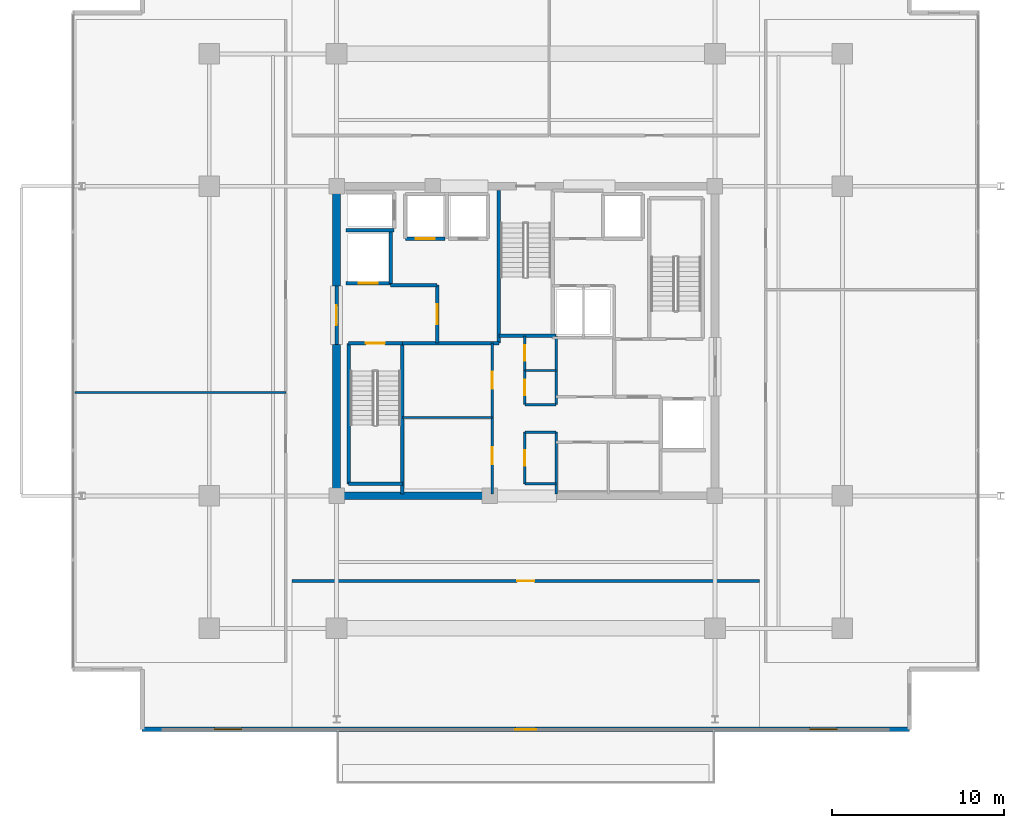
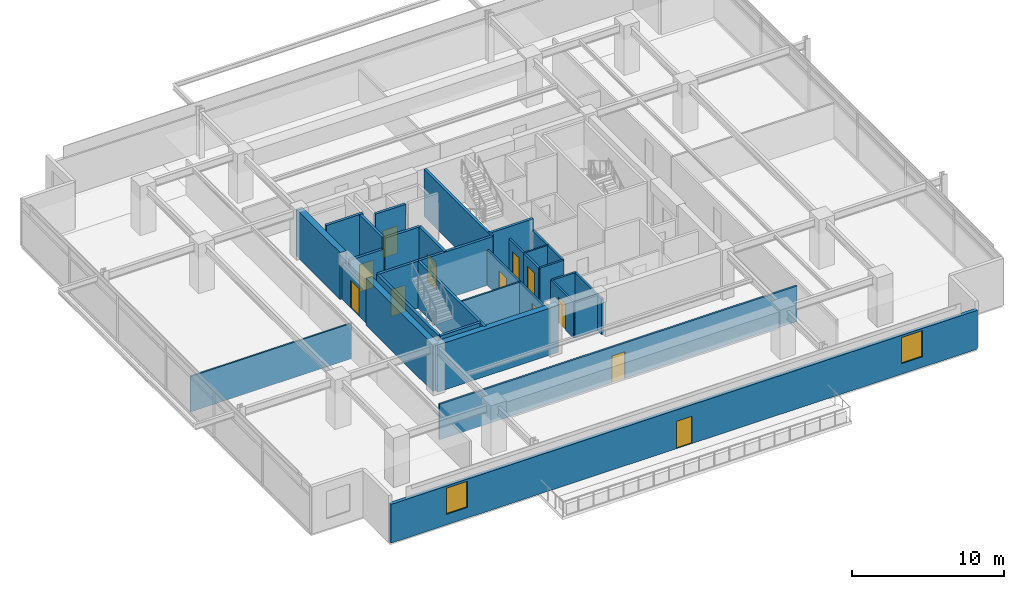
# One storey, part 15 of 23: 32 walls, 12 doors, 2 windows, 14 openings.
"""IFC4 building model written with IfcOpenShell, lengths in metres."""

from ifc_helpers import new_model, si_unit, direction, frame, frame_2d, origin, place, context, subcontext, project, spatial, rectangle, extrude, material, layer, layer_set, type_object, element, fill, save


model = new_model("IFC4")

# Units and contexts
model_context = context("Model", 3, precision=1e-05, world=origin(), true_north=direction((0.0, 1.0)))
body_context = subcontext(model_context, "Body", "Model", "MODEL_VIEW")
ifc_project = project(units=[si_unit("LENGTHUNIT", "METRE"), si_unit("AREAUNIT", "SQUARE_METRE"), si_unit("VOLUMEUNIT", "CUBIC_METRE"), si_unit("PLANEANGLEUNIT", "RADIAN"), si_unit("MASSUNIT", "GRAM", prefix="KILO")], contexts=[model_context])

# Site, building, storey
site_placement = place(None, origin())
site = spatial("IfcSite", under=ifc_project, at=site_placement, CompositionType="ELEMENT")
building_placement = place(site_placement, origin())
building = spatial("IfcBuilding", under=site, at=building_placement, Name="Kovane Verandah Tower", CompositionType="ELEMENT")
storey_placement = place(building_placement, frame((0.0, 0.0, 243.199951171875)))
storey = spatial("IfcBuildingStorey", under=building, at=storey_placement, Name="L56", CompositionType="ELEMENT", Elevation=243.199951171875)

# Walls
ifc_material_1 = material(Name="Fire-Rated Gypsum Stud Partition", Category="gypsum")
ifc_layer_1 = layer(ifc_material_1, 0.14990234375)
ifc_layer_set_1 = layer_set([ifc_layer_1], Name="Fire-Rated Gypsum Stud Partition")
wall_type_1 = type_object("IfcWallType", Name="WL-COR-150", PredefinedType="PARTITIONING", material=ifc_layer_set_1)
for number, where, z_axis, x_axis, name in (
    (1, (39.949951171875, 19.199951171875, 0.0), (0.0, 0.0, 1.0), (1.0, 0.0, 0.0), "L56 Central Core Strip South Wall"),
    (2, (39.949951171875, 22.199951171875, 0.0), (0.0, 0.0, 1.0), (1.0, 0.0, 0.0), "L56 Core Cross-Passage South Wall"),
    (3, (39.949951171875, 23.800048828125, 0.0), (0.0, 0.0, 1.0), (1.0, 0.0, 0.0), "L56 Core Cross-Passage North Wall"),
):
    element("IfcWall", number, at=place(storey_placement, frame(where, z_axis=z_axis, x_axis=x_axis)), inside=storey, type_object=wall_type_1, Name=name, PredefinedType="PARTITIONING", context=body_context, shape_type="SweptSolid", body=[
        extrude(rectangle(XDim=1.81005859375, YDim=0.14990234375, at=frame_2d((0.905029296875, 0.0))), origin(), (0.0, 0.0, 1.0), 2.85009765625),
    ])
wall_1_placement = place(storey_placement, frame((41.760009765625, 18.60009765625, 0.0), z_axis=(0.0, 0.0, 1.0), x_axis=(0.0, 1.0, 0.0)))
element("IfcWall", 4, at=wall_1_placement, inside=storey, type_object=wall_type_1, Name="L56 Central Core Strip Lower East Wall", PredefinedType="PARTITIONING", context=body_context, shape_type="SweptSolid", body=[
    extrude(rectangle(XDim=3.599853515625, YDim=0.14990234375, at=frame_2d((1.7998046875, 0.0))), origin(), (0.0, 0.0, 1.0), 2.85009765625),
])
wall_2_placement = place(storey_placement, frame((41.760009765625, 23.800048828125, 0.0), z_axis=(0.0, 0.0, 1.0), x_axis=(0.0, 1.0, 0.0)))
element("IfcWall", 5, at=wall_2_placement, inside=storey, type_object=wall_type_1, Name="L56 Central Core Strip Upper East Wall", PredefinedType="PARTITIONING", context=body_context, shape_type="SweptSolid", body=[
    extrude(rectangle(XDim=4.0, YDim=0.14990234375, at=frame_2d((2.0, 0.0))), origin(), (0.0, 0.0, 1.0), 2.85009765625),
])

# Wall, opening, door
wall_3_placement = place(storey_placement, frame((39.949951171875, 19.199951171875, 0.0), z_axis=(0.0, 0.0, 1.0), x_axis=(0.0, 1.0, 0.0)))
wall_3 = element("IfcWall", 6, at=wall_3_placement, inside=storey, type_object=wall_type_1, Name="L56 Male Toilet Partition", PredefinedType="PARTITIONING", context=body_context, shape_type="SweptSolid", body=[
    extrude(rectangle(XDim=3.0, YDim=0.14990234375, at=frame_2d((1.5, 0.0))), origin(), (0.0, 0.0, 1.0), 2.85009765625),
])
opening_1_placement = place(wall_3_placement, frame((1.050048828125, 0.0, 0.0)))
opening_1 = element("IfcOpeningElement", 7, at=opening_1_placement, cuts=wall_3, Name="Opening DR-L56-026", PredefinedType="OPENING", context=body_context, shape_type="SweptSolid", body=[
    extrude(rectangle(XDim=0.89990234375, YDim=2.10009765625, at=frame_2d((0.449951171875, 1.050048828125))), frame((0.0, 0.074951171875, 0.0), z_axis=(0.0, -1.0, 0.0), x_axis=(1.0, 0.0, 0.0)), (0.0, 0.0, 1.0), 0.14990234375),
])
ifc_material_2 = material(Name="Moisture-Resistant Laminate Washroom Door", Category="wood")
door_type_1 = type_object("IfcDoorType", Name="DR-WC-900", OperationType="SINGLE_SWING_LEFT", PredefinedType="DOOR", material=ifc_material_2)
door_1_placement = place(opening_1_placement, origin())
door_1 = element("IfcDoor", 8, at=door_1_placement, inside=storey, type_object=door_type_1, Name="L56 Male Toilet Door", OperationType="SINGLE_SWING_LEFT", OverallHeight=2.10009765625, OverallWidth=0.89990234375, PredefinedType="DOOR", context=body_context, shape_type="SweptSolid", body=[
    extrude(rectangle(XDim=0.89990234375, YDim=2.10009765625, at=frame_2d((0.449951171875, 1.050048828125))), frame((0.0, 0.02490234375, 0.0), z_axis=(0.0, -1.0, 0.0), x_axis=(1.0, 0.0, 0.0)), (0.0, 0.0, 1.0), 0.050048828125),
])
fill(opening_1, door_1)

wall_4_placement = place(storey_placement, frame((39.949951171875, 23.800048828125, 0.0), z_axis=(0.0, 0.0, 1.0), x_axis=(0.0, 1.0, 0.0)))
wall_4 = element("IfcWall", 9, at=wall_4_placement, inside=storey, type_object=wall_type_1, Name="L56 Female Toilet Partition", PredefinedType="PARTITIONING", context=body_context, shape_type="SweptSolid", body=[
    extrude(rectangle(XDim=2.0, YDim=0.14990234375, at=frame_2d((1.0, 0.0))), origin(), (0.0, 0.0, 1.0), 2.85009765625),
])
opening_2_placement = place(wall_4_placement, frame((0.550048828125, 0.0, 0.0)))
opening_2 = element("IfcOpeningElement", 10, at=opening_2_placement, cuts=wall_4, Name="Opening DR-L56-025", PredefinedType="OPENING", context=body_context, shape_type="SweptSolid", body=[
    extrude(rectangle(XDim=0.89990234375, YDim=2.10009765625, at=frame_2d((0.449951171875, 1.050048828125))), frame((0.0, 0.074951171875, 0.0), z_axis=(0.0, -1.0, 0.0), x_axis=(1.0, 0.0, 0.0)), (0.0, 0.0, 1.0), 0.14990234375),
])
door_2_placement = place(opening_2_placement, origin())
door_2 = element("IfcDoor", 11, at=door_2_placement, inside=storey, type_object=door_type_1, Name="L56 Female Toilet Door", OperationType="SINGLE_SWING_RIGHT", OverallHeight=2.10009765625, OverallWidth=0.89990234375, PredefinedType="DOOR", context=body_context, shape_type="SweptSolid", body=[
    extrude(rectangle(XDim=0.89990234375, YDim=2.10009765625, at=frame_2d((0.449951171875, 1.050048828125))), frame((0.0, 0.02490234375, 0.0), z_axis=(0.0, -1.0, 0.0), x_axis=(1.0, 0.0, 0.0)), (0.0, 0.0, 1.0), 0.050048828125),
])
fill(opening_2, door_2)

wall_5_placement = place(storey_placement, frame((39.949951171875, 25.800048828125, 0.0), z_axis=(0.0, 0.0, 1.0), x_axis=(0.0, 1.0, 0.0)))
wall_5 = element("IfcWall", 12, at=wall_5_placement, inside=storey, type_object=wall_type_1, Name="L56 Accessible Unisex Toilet Partition", PredefinedType="PARTITIONING", context=body_context, shape_type="SweptSolid", body=[
    extrude(rectangle(XDim=2.0, YDim=0.14990234375, at=frame_2d((1.0, 0.0))), origin(), (0.0, 0.0, 1.0), 2.85009765625),
])
opening_3_placement = place(wall_5_placement, frame((0.550048828125, 0.0, 0.0)))
opening_3 = element("IfcOpeningElement", 13, at=opening_3_placement, cuts=wall_5, Name="Opening DR-L56-024", PredefinedType="OPENING", context=body_context, shape_type="SweptSolid", body=[
    extrude(rectangle(XDim=0.89990234375, YDim=2.10009765625, at=frame_2d((0.449951171875, 1.050048828125))), frame((0.0, 0.074951171875, 0.0), z_axis=(0.0, -1.0, 0.0), x_axis=(1.0, 0.0, 0.0)), (0.0, 0.0, 1.0), 0.14990234375),
])
door_3_placement = place(opening_3_placement, origin())
door_3 = element("IfcDoor", 14, at=door_3_placement, inside=storey, type_object=door_type_1, Name="L56 Accessible Unisex Toilet Door", OperationType="SINGLE_SWING_LEFT", OverallHeight=2.10009765625, OverallWidth=0.89990234375, PredefinedType="DOOR", context=body_context, shape_type="SweptSolid", body=[
    extrude(rectangle(XDim=0.89990234375, YDim=2.10009765625, at=frame_2d((0.449951171875, 1.050048828125))), frame((0.0, 0.02490234375, 0.0), z_axis=(0.0, -1.0, 0.0), x_axis=(1.0, 0.0, 0.0)), (0.0, 0.0, 1.0), 0.050048828125),
])
fill(opening_3, door_3)

wall_6_placement = place(storey_placement, frame((38.050048828125, 18.60009765625, 0.0), z_axis=(0.0, 0.0, 1.0), x_axis=(0.0, 1.0, 0.0)))
wall_6 = element("IfcWall", 15, at=wall_6_placement, inside=storey, type_object=wall_type_1, Name="L56 IT Server Room Partition", PredefinedType="PARTITIONING", context=body_context, shape_type="SweptSolid", body=[
    extrude(rectangle(XDim=4.4599609375, YDim=0.14990234375, at=frame_2d((2.22998046875, 0.0))), origin(), (0.0, 0.0, 1.0), 2.85009765625),
])
opening_4_placement = place(wall_6_placement, frame((1.72998046875, 0.0, 0.0)))
opening_4 = element("IfcOpeningElement", 16, at=opening_4_placement, cuts=wall_6, Name="Opening DR-L56-013", PredefinedType="OPENING", context=body_context, shape_type="SweptSolid", body=[
    extrude(rectangle(XDim=1.0, YDim=2.14990234375, at=frame_2d((0.5, 1.074951171875))), frame((0.0, 0.074951171875, 0.0), z_axis=(0.0, -1.0, 0.0), x_axis=(1.0, 0.0, 0.0)), (0.0, 0.0, 1.0), 0.14990234375),
])
ifc_material_3 = material(Name="FSC Spotted-Gum Timber Fire-Rated Office Door", Category="wood")
door_type_2 = type_object("IfcDoorType", Name="DR-OFF-1000", OperationType="SINGLE_SWING_LEFT", PredefinedType="DOOR", material=ifc_material_3)
door_4_placement = place(opening_4_placement, origin())
door_4 = element("IfcDoor", 17, at=door_4_placement, inside=storey, type_object=door_type_2, Name="L56 IT Server Room Door", OperationType="SINGLE_SWING_RIGHT", OverallHeight=2.14990234375, OverallWidth=1.0, PredefinedType="DOOR", context=body_context, shape_type="SweptSolid", body=[
    extrude(rectangle(XDim=1.0, YDim=2.14990234375, at=frame_2d((0.5, 1.074951171875))), frame((0.0, 0.02490234375, 0.0), z_axis=(0.0, -1.0, 0.0), x_axis=(1.0, 0.0, 0.0)), (0.0, 0.0, 1.0), 0.050048828125),
])
fill(opening_4, door_4)

wall_7_placement = place(storey_placement, frame((38.050048828125, 23.06005859375, 0.0), z_axis=(0.0, 0.0, 1.0), x_axis=(0.0, 1.0, 0.0)))
wall_7 = element("IfcWall", 18, at=wall_7_placement, inside=storey, type_object=wall_type_1, Name="L56 Telecom MDF Room Partition", PredefinedType="PARTITIONING", context=body_context, shape_type="SweptSolid", body=[
    extrude(rectangle(XDim=4.31982421875, YDim=0.14990234375, at=frame_2d((2.159912109375, 0.0))), origin(), (0.0, 0.0, 1.0), 2.85009765625),
])
opening_5_placement = place(wall_7_placement, frame((1.659912109375, 0.0, 0.0)))
opening_5 = element("IfcOpeningElement", 19, at=opening_5_placement, cuts=wall_7, Name="Opening DR-L56-014", PredefinedType="OPENING", context=body_context, shape_type="SweptSolid", body=[
    extrude(rectangle(XDim=1.0, YDim=2.14990234375, at=frame_2d((0.5, 1.074951171875))), frame((0.0, 0.074951171875, 0.0), z_axis=(0.0, -1.0, 0.0), x_axis=(1.0, 0.0, 0.0)), (0.0, 0.0, 1.0), 0.14990234375),
])
door_5_placement = place(opening_5_placement, origin())
door_5 = element("IfcDoor", 20, at=door_5_placement, inside=storey, type_object=door_type_2, Name="L56 Telecom MDF Room Door", OperationType="SINGLE_SWING_LEFT", OverallHeight=2.14990234375, OverallWidth=1.0, PredefinedType="DOOR", context=body_context, shape_type="SweptSolid", body=[
    extrude(rectangle(XDim=1.0, YDim=2.14990234375, at=frame_2d((0.5, 1.074951171875))), frame((0.0, 0.02490234375, 0.0), z_axis=(0.0, -1.0, 0.0), x_axis=(1.0, 0.0, 0.0)), (0.0, 0.0, 1.0), 0.050048828125),
])
fill(opening_5, door_5)

wall_8_placement = place(storey_placement, frame((26.39990234375, 13.550048828125, 0.0), z_axis=(0.0, 0.0, 1.0), x_axis=(1.0, 0.0, 0.0)))
wall_8 = element("IfcWall", 21, at=wall_8_placement, inside=storey, type_object=wall_type_1, Name="L56 Breakout Pantry S1 Corridor Partition", PredefinedType="PARTITIONING", context=body_context, shape_type="SweptSolid", body=[
    extrude(rectangle(XDim=27.2001953125, YDim=0.14990234375, at=frame_2d((13.60009765625, 0.0))), origin(), (0.0, 0.0, 1.0), 2.85009765625),
])
opening_6_placement = place(wall_8_placement, frame((13.10009765625, 0.0, 0.0)))
opening_6 = element("IfcOpeningElement", 22, at=opening_6_placement, cuts=wall_8, Name="Opening DR-L56-023", PredefinedType="OPENING", context=body_context, shape_type="SweptSolid", body=[
    extrude(rectangle(XDim=1.0, YDim=2.14990234375, at=frame_2d((0.5, 1.074951171875))), frame((0.0, 0.074951171875, 0.0), z_axis=(0.0, -1.0, 0.0), x_axis=(1.0, 0.0, 0.0)), (0.0, 0.0, 1.0), 0.14990234375),
])
door_6_placement = place(opening_6_placement, origin())
door_6 = element("IfcDoor", 23, at=door_6_placement, inside=storey, type_object=door_type_2, Name="L56 Breakout Pantry S1 Entrance Door", OperationType="SINGLE_SWING_RIGHT", OverallHeight=2.14990234375, OverallWidth=1.0, PredefinedType="DOOR", context=body_context, shape_type="SweptSolid", body=[
    extrude(rectangle(XDim=1.0, YDim=2.14990234375, at=frame_2d((0.5, 1.074951171875))), frame((0.0, 0.02490234375, 0.0), z_axis=(0.0, -1.0, 0.0), x_axis=(1.0, 0.0, 0.0)), (0.0, 0.0, 1.0), 0.050048828125),
])
fill(opening_6, door_6)

# Walls
ifc_material_4 = material(Name="Concrete C60/75", Category="concrete")
ifc_layer_2 = layer(ifc_material_4, 0.449951171875)
ifc_layer_set_2 = layer_set([ifc_layer_2], Name="Concrete C60/75")
wall_type_2 = type_object("IfcWallType", Name="WL-CORE-450", PredefinedType="SHEAR", material=ifc_layer_set_2)
wall_9_placement = place(storey_placement, frame((29.0, 18.5, 0.0), z_axis=(0.0, 0.0, 1.0), x_axis=(1.0, 0.0, 0.0)))
element("IfcWall", 24, at=wall_9_placement, inside=storey, type_object=wall_type_2, Name="L56 Core Shear Wall CS-1", PredefinedType="SHEAR", context=body_context, shape_type="SweptSolid", body=[
    extrude(rectangle(XDim=9.199951171875, YDim=0.449951171875, at=frame_2d((4.60009765625, 0.0))), origin(), (0.0, 0.0, 1.0), 3.78515625),
])
wall_10_placement = place(storey_placement, frame((29.0, 18.5, 0.0), z_axis=(0.0, 0.0, 1.0), x_axis=(0.0, 1.0, 0.0)))
element("IfcWall", 25, at=wall_10_placement, inside=storey, type_object=wall_type_2, Name="L56 Core Shear Wall CW-1", PredefinedType="SHEAR", context=body_context, shape_type="SweptSolid", body=[
    extrude(rectangle(XDim=8.800048828125, YDim=0.449951171875, at=frame_2d((4.39990234375, 0.0))), origin(), (0.0, 0.0, 1.0), 3.78515625),
])
wall_11_placement = place(storey_placement, frame((29.0, 30.699951171875, 0.0), z_axis=(0.0, 0.0, 1.0), x_axis=(0.0, 1.0, 0.0)))
element("IfcWall", 26, at=wall_11_placement, inside=storey, type_object=wall_type_2, Name="L56 Core Shear Wall CW-2", PredefinedType="SHEAR", context=body_context, shape_type="SweptSolid", body=[
    extrude(rectangle(XDim=5.800048828125, YDim=0.449951171875, at=frame_2d((2.89990234375, 0.0))), origin(), (0.0, 0.0, 1.0), 3.78515625),
])

# Wall, opening, door
ifc_material_5 = material(Name="Concrete C45/55 Fire Wall", Category="concrete")
ifc_layer_3 = layer(ifc_material_5, 0.199951171875)
ifc_layer_set_3 = layer_set([ifc_layer_3], Name="Concrete C45/55 Fire Wall")
wall_type_3 = type_object("IfcWallType", Name="WL-FFL-200", PredefinedType="PARTITIONING", material=ifc_layer_set_3)
wall_12_placement = place(storey_placement, frame((34.85009765625, 27.3798828125, 0.0), z_axis=(0.0, 0.0, 1.0), x_axis=(0.0, 1.0, 0.0)))
wall_12 = element("IfcWall", 27, at=wall_12_placement, inside=storey, type_object=wall_type_3, Name="W-L56-FFLW-E", PredefinedType="PARTITIONING", context=body_context, shape_type="SweptSolid", body=[
    extrude(rectangle(XDim=3.3701171875, YDim=0.199951171875, at=frame_2d((1.68505859375, 0.0))), origin(), (0.0, 0.0, 1.0), 3.78515625),
])
opening_7_placement = place(wall_12_placement, frame((1.110107421875, 0.0, 0.0)))
opening_7 = element("IfcOpeningElement", 28, at=opening_7_placement, cuts=wall_12, Name="Opening DR-L56-006", PredefinedType="OPENING", context=body_context, shape_type="SweptSolid", body=[
    extrude(rectangle(XDim=1.14990234375, YDim=2.199951171875, at=frame_2d((0.574951171875, 1.10009765625))), frame((0.0, 0.10009765625, 0.0), z_axis=(0.0, -1.0, 0.0), x_axis=(1.0, 0.0, 0.0)), (0.0, 0.0, 1.0), 0.199951171875),
])
ifc_material_6 = material(Name="Smoke-Sealed Firefighting Lobby Door", Category="steel")
door_type_3 = type_object("IfcDoorType", Name="DR-FFL-1150", OperationType="SINGLE_SWING_LEFT", PredefinedType="DOOR", material=ifc_material_6)
door_7_placement = place(opening_7_placement, origin())
door_7 = element("IfcDoor", 29, at=door_7_placement, inside=storey, type_object=door_type_3, Name="L56 West Firefighting Lobby Inner Door", OperationType="SINGLE_SWING_LEFT", OverallHeight=2.199951171875, OverallWidth=1.14990234375, PredefinedType="DOOR", context=body_context, shape_type="SweptSolid", body=[
    extrude(rectangle(XDim=1.14990234375, YDim=2.199951171875, at=frame_2d((0.574951171875, 1.10009765625))), frame((0.0, 0.02490234375, 0.0), z_axis=(0.0, -1.0, 0.0), x_axis=(1.0, 0.0, 0.0)), (0.0, 0.0, 1.0), 0.050048828125),
])
fill(opening_7, door_7)

wall_13_placement = place(storey_placement, frame((29.0, 27.300048828125, 0.0), z_axis=(0.0, 0.0, 1.0), x_axis=(0.0, 1.0, 0.0)))
wall_13 = element("IfcWall", 30, at=wall_13_placement, inside=storey, type_object=wall_type_3, Name="W-L56-FFLW-OUT", PredefinedType="PARTITIONING", context=body_context, shape_type="SweptSolid", body=[
    extrude(rectangle(XDim=3.39990234375, YDim=0.199951171875, at=frame_2d((1.699951171875, 0.0))), origin(), (0.0, 0.0, 1.0), 2.864990234375),
])
opening_8_placement = place(wall_13_placement, frame((1.125, 0.0, 0.0)))
opening_8 = element("IfcOpeningElement", 31, at=opening_8_placement, cuts=wall_13, Name="Opening DR-L56-007", PredefinedType="OPENING", context=body_context, shape_type="SweptSolid", body=[
    extrude(rectangle(XDim=1.14990234375, YDim=2.199951171875, at=frame_2d((0.574951171875, 1.10009765625))), frame((0.0, 0.10009765625, 0.0), z_axis=(0.0, -1.0, 0.0), x_axis=(1.0, 0.0, 0.0)), (0.0, 0.0, 1.0), 0.199951171875),
])
door_8_placement = place(opening_8_placement, origin())
door_8 = element("IfcDoor", 32, at=door_8_placement, inside=storey, type_object=door_type_3, Name="L56 West Firefighting Lobby Corridor Door", OperationType="SINGLE_SWING_RIGHT", OverallHeight=2.199951171875, OverallWidth=1.14990234375, PredefinedType="DOOR", context=body_context, shape_type="SweptSolid", body=[
    extrude(rectangle(XDim=1.14990234375, YDim=2.199951171875, at=frame_2d((0.574951171875, 1.10009765625))), frame((0.0, 0.02490234375, 0.0), z_axis=(0.0, -1.0, 0.0), x_axis=(1.0, 0.0, 0.0)), (0.0, 0.0, 1.0), 0.050048828125),
])
fill(opening_8, door_8)

# Walls
wall_14_placement = place(storey_placement, frame((32.820068359375, 27.3798828125, 0.0), z_axis=(0.0, 0.0, 1.0), x_axis=(1.0, 0.0, 0.0)))
element("IfcWall", 33, at=wall_14_placement, inside=storey, type_object=wall_type_3, Name="L56 West Firefighting Lobby South Fire Wall", PredefinedType="PARTITIONING", context=body_context, shape_type="SweptSolid", body=[
    extrude(rectangle(XDim=5.619873046875, YDim=0.199951171875, at=frame_2d((2.81005859375, 0.0))), origin(), (0.0, 0.0, 1.0), 3.78515625),
])
wall_15_placement = place(storey_placement, frame((32.14990234375, 30.75, 0.0), z_axis=(0.0, 0.0, 1.0), x_axis=(1.0, 0.0, 0.0)))
element("IfcWall", 34, at=wall_15_placement, inside=storey, type_object=wall_type_3, Name="L56 West Firefighting Lobby North Fire Wall", PredefinedType="PARTITIONING", context=body_context, shape_type="SweptSolid", body=[
    extrude(rectangle(XDim=2.7001953125, YDim=0.199951171875, at=frame_2d((1.35009765625, 0.0))), origin(), (0.0, 0.0, 1.0), 3.78515625),
])

# Wall, opening, door
ifc_material_7 = material(Name="Concrete C45/55 Lift Shaft Wall", Category="concrete")
ifc_layer_4 = layer(ifc_material_7, 0.199951171875)
ifc_layer_set_4 = layer_set([ifc_layer_4], Name="Concrete C45/55 Lift Shaft Wall")
wall_type_4 = type_object("IfcWallType", Name="WL-LIFT-200", PredefinedType="SOLIDWALL", material=ifc_layer_set_4)
wall_16_placement = place(storey_placement, frame((29.550048828125, 30.85009765625, 0.0), z_axis=(0.0, 0.0, 1.0), x_axis=(1.0, 0.0, 0.0)))
wall_16 = element("IfcWall", 35, at=wall_16_placement, inside=storey, type_object=wall_type_4, Name="L56 Lift FL-01 S Shaft Wall", PredefinedType="SOLIDWALL", context=body_context, shape_type="SweptSolid", body=[
    extrude(rectangle(XDim=2.599853515625, YDim=0.199951171875, at=frame_2d((1.2998046875, 0.0))), origin(), (0.0, 0.0, 1.0), 2.864990234375),
])
opening_9_placement = place(wall_16_placement, frame((0.75, 0.0, 0.0)))
opening_9 = element("IfcOpeningElement", 36, at=opening_9_placement, cuts=wall_16, Name="Opening LD-L56-001", PredefinedType="OPENING", context=body_context, shape_type="SweptSolid", body=[
    extrude(rectangle(XDim=1.10009765625, YDim=2.199951171875, at=frame_2d((0.550048828125, 1.10009765625))), frame((0.0, 0.10009765625, 0.0), z_axis=(0.0, -1.0, 0.0), x_axis=(1.0, 0.0, 0.0)), (0.0, 0.0, 1.0), 0.199951171875),
])
ifc_material_8 = material(Name="Brushed Stainless Steel Sliding Lift Landing Door", Category="steel")
door_type_4 = type_object("IfcDoorType", Name="DR-LIFT-1100", OperationType="SLIDING_TO_RIGHT", PredefinedType="DOOR", material=ifc_material_8)
door_9_placement = place(opening_9_placement, origin())
door_9 = element("IfcDoor", 37, at=door_9_placement, inside=storey, type_object=door_type_4, Name="L56 Lift FL-01 Sliding Landing Door", OperationType="SLIDING_TO_RIGHT", OverallHeight=2.199951171875, OverallWidth=1.10009765625, PredefinedType="DOOR", context=body_context, shape_type="SweptSolid", body=[
    extrude(rectangle(XDim=1.10009765625, YDim=2.199951171875, at=frame_2d((0.550048828125, 1.10009765625))), frame((0.0, 0.02490234375, 0.0), z_axis=(0.0, -1.0, 0.0), x_axis=(1.0, 0.0, 0.0)), (0.0, 0.0, 1.0), 0.050048828125),
])
fill(opening_9, door_9)

# Walls
wall_17_placement = place(storey_placement, frame((29.550048828125, 33.949951171875, 0.0), z_axis=(0.0, 0.0, 1.0), x_axis=(1.0, 0.0, 0.0)))
element("IfcWall", 38, at=wall_17_placement, inside=storey, type_object=wall_type_4, Name="L56 Lift FL-01 and GL-01 Shared Shaft Wall", PredefinedType="SOLIDWALL", context=body_context, shape_type="SweptSolid", body=[
    extrude(rectangle(XDim=2.800048828125, YDim=0.199951171875, at=frame_2d((1.39990234375, 0.0))), origin(), (0.0, 0.0, 1.0), 3.78515625),
])
wall_18_placement = place(storey_placement, frame((32.14990234375, 30.85009765625, 0.0), z_axis=(0.0, 0.0, 1.0), x_axis=(0.0, 1.0, 0.0)))
element("IfcWall", 39, at=wall_18_placement, inside=storey, type_object=wall_type_4, Name="L56 Lift FL-01 E Shaft Wall", PredefinedType="SOLIDWALL", context=body_context, shape_type="SweptSolid", body=[
    extrude(rectangle(XDim=3.0, YDim=0.199951171875, at=frame_2d((1.5, 0.0))), origin(), (0.0, 0.0, 1.0), 3.78515625),
])

# Wall, opening, door
wall_19_placement = place(storey_placement, frame((33.0, 33.449951171875, 0.0), z_axis=(0.0, 0.0, 1.0), x_axis=(1.0, 0.0, 0.0)))
wall_19 = element("IfcWall", 40, at=wall_19_placement, inside=storey, type_object=wall_type_4, Name="L56 Lift PL-H1 S Shaft Wall", PredefinedType="SOLIDWALL", context=body_context, shape_type="SweptSolid", body=[
    extrude(rectangle(XDim=2.300048828125, YDim=0.199951171875, at=frame_2d((1.14990234375, 0.0))), origin(), (0.0, 0.0, 1.0), 3.78515625),
])
opening_10_placement = place(wall_19_placement, frame((0.60009765625, 0.0, 0.0)))
opening_10 = element("IfcOpeningElement", 41, at=opening_10_placement, cuts=wall_19, Name="Opening LD-L56-004", PredefinedType="OPENING", context=body_context, shape_type="SweptSolid", body=[
    extrude(rectangle(XDim=1.10009765625, YDim=2.199951171875, at=frame_2d((0.550048828125, 1.10009765625))), frame((0.0, 0.10009765625, 0.0), z_axis=(0.0, -1.0, 0.0), x_axis=(1.0, 0.0, 0.0)), (0.0, 0.0, 1.0), 0.199951171875),
])
door_10_placement = place(opening_10_placement, origin())
door_10 = element("IfcDoor", 42, at=door_10_placement, inside=storey, type_object=door_type_4, Name="L56 Lift PL-H1 Sliding Landing Door", OperationType="SLIDING_TO_RIGHT", OverallHeight=2.199951171875, OverallWidth=1.10009765625, PredefinedType="DOOR", context=body_context, shape_type="SweptSolid", body=[
    extrude(rectangle(XDim=1.10009765625, YDim=2.199951171875, at=frame_2d((0.550048828125, 1.10009765625))), frame((0.0, 0.02490234375, 0.0), z_axis=(0.0, -1.0, 0.0), x_axis=(1.0, 0.0, 0.0)), (0.0, 0.0, 1.0), 0.050048828125),
])
fill(opening_10, door_10)

# Walls
ifc_material_9 = material(Name="Acoustic Fire-Rated Gypsum Partition", Category="gypsum")
ifc_layer_5 = layer(ifc_material_9, 0.1201171875)
ifc_layer_set_5 = layer_set([ifc_layer_5], Name="Acoustic Fire-Rated Gypsum Partition")
wall_type_5 = type_object("IfcWallType", Name="WL-PART-120", PredefinedType="PARTITIONING", material=ifc_layer_set_5)
wall_20_placement = place(storey_placement, frame((39.949951171875, 25.800048828125, 0.0), z_axis=(0.0, 0.0, 1.0), x_axis=(1.0, 0.0, 0.0)))
element("IfcWall", 43, at=wall_20_placement, inside=storey, type_object=wall_type_5, Name="L56 Central Core Strip Upper Dividing Partition", PredefinedType="PARTITIONING", context=body_context, shape_type="SweptSolid", body=[
    extrude(rectangle(XDim=1.81005859375, YDim=0.1201171875, at=frame_2d((0.905029296875, 0.0))), origin(), (0.0, 0.0, 1.0), 2.85009765625),
])
wall_21_placement = place(storey_placement, frame((32.820068359375, 23.06005859375, 0.0), z_axis=(0.0, 0.0, 1.0), x_axis=(1.0, 0.0, 0.0)))
element("IfcWall", 44, at=wall_21_placement, inside=storey, type_object=wall_type_5, Name="L56 Core Support Dividing Partition", PredefinedType="PARTITIONING", context=body_context, shape_type="SweptSolid", body=[
    extrude(rectangle(XDim=5.22998046875, YDim=0.1201171875, at=frame_2d((2.614990234375, 0.0))), origin(), (0.0, 0.0, 1.0), 2.85009765625),
])
wall_22_placement = place(storey_placement, frame((13.79248046875, 24.51123046875, 0.0), z_axis=(0.0, 0.0, 1.0), x_axis=(1.0, 0.0, 0.0)))
element("IfcWall", 45, at=wall_22_placement, inside=storey, type_object=wall_type_5, Name="L56 Collaboration Hub W1 Dividing Partition", PredefinedType="PARTITIONING", context=body_context, shape_type="SweptSolid", body=[
    extrude(rectangle(XDim=12.257568359375, YDim=0.1201171875, at=frame_2d((6.12890625, 0.0))), origin(), (0.0, 0.0, 1.0), 2.85009765625),
])
ifc_material_10 = material(Name="Concrete C45/55", Category="concrete")
ifc_layer_6 = layer(ifc_material_10, 0.199951171875)
ifc_layer_set_6 = layer_set([ifc_layer_6], Name="Concrete C45/55")
wall_type_6 = type_object("IfcWallType", Name="WL-SHAFT-200", PredefinedType="SOLIDWALL", material=ifc_layer_set_6)
wall_23_placement = place(storey_placement, frame((29.699951171875, 19.199951171875, 0.0), z_axis=(0.0, 0.0, 1.0), x_axis=(0.0, 1.0, 0.0)))
element("IfcWall", 46, at=wall_23_placement, inside=storey, type_object=wall_type_6, Name="W-L56-ST01-W", PredefinedType="SOLIDWALL", context=body_context, shape_type="SweptSolid", body=[
    extrude(rectangle(XDim=8.150146484375, YDim=0.199951171875, at=frame_2d((4.0751953125, 0.0))), origin(), (0.0, 0.0, 1.0), 3.78515625),
])
wall_24_placement = place(storey_placement, frame((29.699951171875, 19.199951171875, 0.0), z_axis=(0.0, 0.0, 1.0), x_axis=(1.0, 0.0, 0.0)))
element("IfcWall", 47, at=wall_24_placement, inside=storey, type_object=wall_type_6, Name="W-L56-ST01-S", PredefinedType="SOLIDWALL", context=body_context, shape_type="SweptSolid", body=[
    extrude(rectangle(XDim=3.1201171875, YDim=0.199951171875, at=frame_2d((1.56005859375, 0.0))), origin(), (0.0, 0.0, 1.0), 3.78515625),
])
wall_25_placement = place(storey_placement, frame((32.820068359375, 18.60009765625, 0.0), z_axis=(0.0, 0.0, 1.0), x_axis=(0.0, 1.0, 0.0)))
element("IfcWall", 48, at=wall_25_placement, inside=storey, type_object=wall_type_6, Name="W-L56-ST01-E", PredefinedType="SOLIDWALL", context=body_context, shape_type="SweptSolid", body=[
    extrude(rectangle(XDim=8.77978515625, YDim=0.199951171875, at=frame_2d((4.389892578125, 0.0))), origin(), (0.0, 0.0, 1.0), 3.78515625),
])

# Wall, opening, door
wall_26_placement = place(storey_placement, frame((29.699951171875, 27.3798828125, 0.0), z_axis=(0.0, 0.0, 1.0), x_axis=(1.0, 0.0, 0.0)))
wall_26 = element("IfcWall", 49, at=wall_26_placement, inside=storey, type_object=wall_type_6, Name="W-L56-ST01-N", PredefinedType="SOLIDWALL", context=body_context, shape_type="SweptSolid", body=[
    extrude(rectangle(XDim=3.1201171875, YDim=0.199951171875, at=frame_2d((1.56005859375, 0.0))), origin(), (0.0, 0.0, 1.0), 3.78515625),
])
opening_11_placement = place(wall_26_placement, frame((1.010009765625, 0.0, 0.0)))
opening_11 = element("IfcOpeningElement", 50, at=opening_11_placement, cuts=wall_26, Name="Opening DR-L56-008", PredefinedType="OPENING", context=body_context, shape_type="SweptSolid", body=[
    extrude(rectangle(XDim=1.10009765625, YDim=2.14990234375, at=frame_2d((0.550048828125, 1.074951171875))), frame((0.0, 0.10009765625, 0.0), z_axis=(0.0, -1.0, 0.0), x_axis=(1.0, 0.0, 0.0)), (0.0, 0.0, 1.0), 0.199951171875),
])
ifc_material_11 = material(Name="Fire-Rated Steel Exit Door", Category="steel")
door_type_5 = type_object("IfcDoorType", Name="DR-STAIR-1100", OperationType="SINGLE_SWING_LEFT", PredefinedType="DOOR", material=ifc_material_11)
door_11_placement = place(opening_11_placement, origin())
door_11 = element("IfcDoor", 51, at=door_11_placement, inside=storey, type_object=door_type_5, Name="L56 ST-01 Fire Exit Stair Door", OperationType="SINGLE_SWING_RIGHT", OverallHeight=2.14990234375, OverallWidth=1.10009765625, PredefinedType="DOOR", context=body_context, shape_type="SweptSolid", body=[
    extrude(rectangle(XDim=1.10009765625, YDim=2.14990234375, at=frame_2d((0.550048828125, 1.074951171875))), frame((0.0, 0.02490234375, 0.0), z_axis=(0.0, -1.0, 0.0), x_axis=(1.0, 0.0, 0.0)), (0.0, 0.0, 1.0), 0.050048828125),
])
fill(opening_11, door_11)

# Walls
wall_27_placement = place(storey_placement, frame((38.43994140625, 27.3798828125, 0.0), z_axis=(0.0, 0.0, 1.0), x_axis=(0.0, 1.0, 0.0)))
element("IfcWall", 52, at=wall_27_placement, inside=storey, type_object=wall_type_6, Name="W-L56-ST03-W", PredefinedType="SOLIDWALL", context=body_context, shape_type="SweptSolid", body=[
    extrude(rectangle(XDim=8.8701171875, YDim=0.199951171875, at=frame_2d((4.43505859375, 0.0))), origin(), (0.0, 0.0, 1.0), 3.78515625),
])
wall_28_placement = place(storey_placement, frame((38.43994140625, 27.800048828125, 0.0), z_axis=(0.0, 0.0, 1.0), x_axis=(1.0, 0.0, 0.0)))
element("IfcWall", 53, at=wall_28_placement, inside=storey, type_object=wall_type_6, Name="W-L56-ST03-S", PredefinedType="SOLIDWALL", context=body_context, shape_type="SweptSolid", body=[
    extrude(rectangle(XDim=3.320068359375, YDim=0.199951171875, at=frame_2d((1.66015625, 0.0))), origin(), (0.0, 0.0, 1.0), 3.78515625),
])

# Wall, openings, door, windows
ifc_material_12 = material(Name="Concrete C45/55 Insulated Spandrel Wall", Category="concrete")
ifc_layer_7 = layer(ifc_material_12, 0.260009765625)
ifc_layer_set_7 = layer_set([ifc_layer_7], Name="Concrete C45/55 Insulated Spandrel Wall")
wall_type_7 = type_object("IfcWallType", Name="WL-SPANDREL-260", PredefinedType="PARAPET", material=ifc_layer_set_7)
wall_29_placement = place(storey_placement, frame((17.6923828125, 4.919921875, 0.0), z_axis=(0.0, 0.0, 1.0), x_axis=(1.0, 0.0, 0.0)))
wall_29 = element("IfcWall", 54, at=wall_29_placement, inside=storey, type_object=wall_type_7, Name="L56 S Verandah Access Facade Wall", PredefinedType="PARAPET", context=body_context, shape_type="SweptSolid", body=[
    extrude(rectangle(XDim=44.615234375, YDim=0.260009765625, at=frame_2d((22.3076171875, 0.0))), origin(), (0.0, 0.0, 1.0), 3.122802734375),
])
opening_12_placement = place(wall_29_placement, frame((4.199951171875, 0.0, 0.85009765625)))
opening_12 = element("IfcOpeningElement", 55, at=opening_12_placement, cuts=wall_29, Name="Opening W-02", PredefinedType="OPENING", context=body_context, shape_type="SweptSolid", body=[
    extrude(rectangle(XDim=1.60009765625, YDim=2.10009765625, at=frame_2d((0.800048828125, 1.050048828125))), frame((0.0, 0.1298828125, 0.0), z_axis=(0.0, -1.0, 0.0), x_axis=(1.0, 0.0, 0.0)), (0.0, 0.0, 1.0), 0.260009765625),
])
opening_13_placement = place(wall_29_placement, frame((21.70751953125, 0.0, 0.0)))
opening_13 = element("IfcOpeningElement", 56, at=opening_13_placement, cuts=wall_29, Name="Opening DR-L56-002", PredefinedType="OPENING", context=body_context, shape_type="SweptSolid", body=[
    extrude(rectangle(XDim=1.199951171875, YDim=2.199951171875, at=frame_2d((0.60009765625, 1.10009765625))), frame((0.0, 0.1298828125, 0.0), z_axis=(0.0, -1.0, 0.0), x_axis=(1.0, 0.0, 0.0)), (0.0, 0.0, 1.0), 0.260009765625),
])
opening_14_placement = place(wall_29_placement, frame((38.815185546875, 0.0, 0.85009765625)))
opening_14 = element("IfcOpeningElement", 57, at=opening_14_placement, cuts=wall_29, Name="Opening W-02", PredefinedType="OPENING", context=body_context, shape_type="SweptSolid", body=[
    extrude(rectangle(XDim=1.60009765625, YDim=2.10009765625, at=frame_2d((0.800048828125, 1.050048828125))), frame((0.0, 0.1298828125, 0.0), z_axis=(0.0, -1.0, 0.0), x_axis=(1.0, 0.0, 0.0)), (0.0, 0.0, 1.0), 0.260009765625),
])
ifc_material_13 = material(Name="Cyclone-Rated Glazed Balcony Leaf Door", Category="aluminium")
door_type_6 = type_object("IfcDoorType", Name="DR-BAL-1200x2200", OperationType="SINGLE_SWING_LEFT", PredefinedType="DOOR", material=ifc_material_13)
door_12_placement = place(opening_13_placement, origin())
door_12 = element("IfcDoor", 58, at=door_12_placement, inside=storey, type_object=door_type_6, Name="L56 S Planted Balcony Access Door", OperationType="SINGLE_SWING_LEFT", OverallHeight=2.199951171875, OverallWidth=1.199951171875, PredefinedType="DOOR", context=body_context, shape_type="SweptSolid", body=[
    extrude(rectangle(XDim=1.199951171875, YDim=2.199951171875, at=frame_2d((0.60009765625, 1.10009765625))), frame((0.0, 0.02490234375, 0.0), z_axis=(0.0, -1.0, 0.0), x_axis=(1.0, 0.0, 0.0)), (0.0, 0.0, 1.0), 0.050048828125),
])
fill(opening_13, door_12)
ifc_material_14 = material(Name="Clear Low-E Laminated Double Glazing in Anodised Frame", Category="glass")
window_type = type_object("IfcWindowType", Name="WN-OPER-1600x2100", PartitioningType="SINGLE_PANEL", PredefinedType="WINDOW", material=ifc_material_14)
window_1_placement = place(opening_12_placement, origin())
window_1 = element("IfcWindow", 59, at=window_1_placement, inside=storey, type_object=window_type, Name="L56 S Verandah View Window 1", OverallHeight=2.10009765625, OverallWidth=1.60009765625, PartitioningType="SINGLE_PANEL", PredefinedType="WINDOW", context=body_context, shape_type="SweptSolid", body=[
    extrude(rectangle(XDim=1.60009765625, YDim=2.10009765625, at=frame_2d((0.800048828125, 1.050048828125))), frame((0.0, 0.030029296875, 0.0), z_axis=(0.0, -1.0, 0.0), x_axis=(1.0, 0.0, 0.0)), (0.0, 0.0, 1.0), 0.06005859375),
])
fill(opening_12, window_1)
window_2_placement = place(opening_14_placement, origin())
window_2 = element("IfcWindow", 60, at=window_2_placement, inside=storey, type_object=window_type, Name="L56 S Verandah View Window 2", OverallHeight=2.10009765625, OverallWidth=1.60009765625, PartitioningType="SINGLE_PANEL", PredefinedType="WINDOW", context=body_context, shape_type="SweptSolid", body=[
    extrude(rectangle(XDim=1.60009765625, YDim=2.10009765625, at=frame_2d((0.800048828125, 1.050048828125))), frame((0.0, 0.030029296875, 0.0), z_axis=(0.0, -1.0, 0.0), x_axis=(1.0, 0.0, 0.0)), (0.0, 0.0, 1.0), 0.06005859375),
])
fill(opening_14, window_2)

save(model, "model.ifc")
